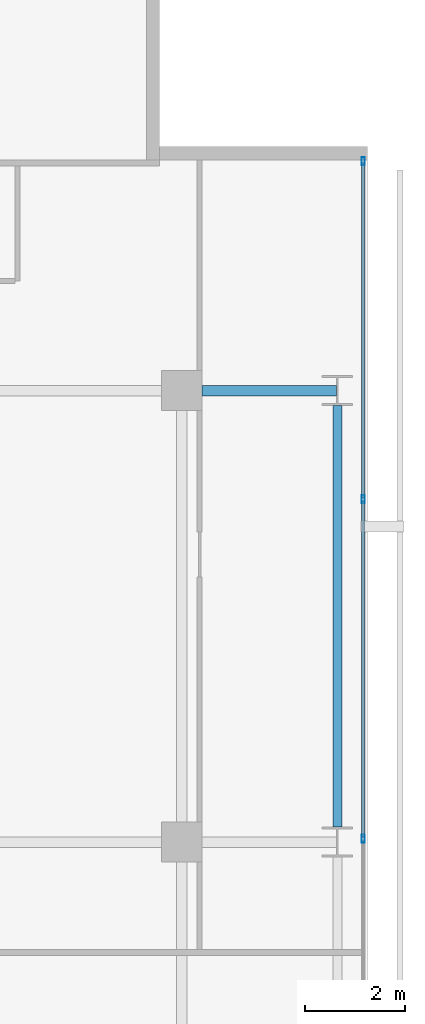
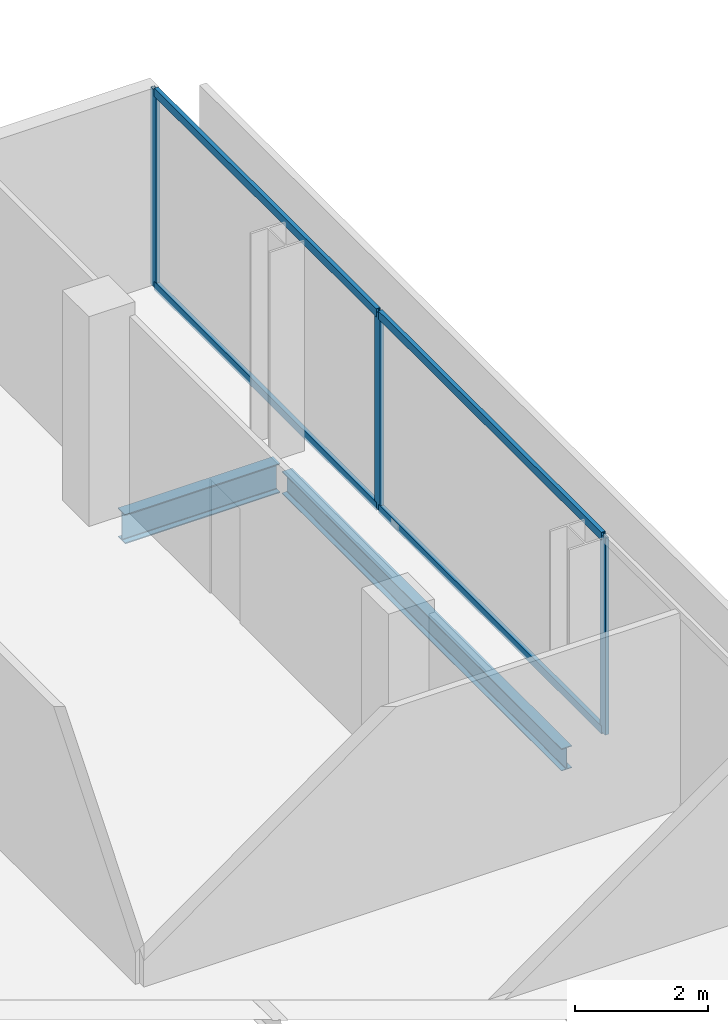
# One storey, part 24 of 33: 7 members, 2 beams, 1 element without a shape of its own.
"""IFC4 building model written with IfcOpenShell, lengths in metres."""

from ifc_helpers import new_model, si_unit, direction, frame, origin, origin_2d, place, context, subcontext, project, spatial, hollow_rectangle, i_section, extrude, material, layer, layer_set, material_profile, profile_set, type_object, element, aggregate, save


model = new_model("IFC4")

# Units and contexts
model_context = context("Model", 3, precision=1e-05, world=origin(), true_north=direction((0.0, 1.0)))
body_context = subcontext(model_context, "Body", "Model", "MODEL_VIEW")
ifc_project = project(units=[si_unit("LENGTHUNIT", "METRE"), si_unit("AREAUNIT", "SQUARE_METRE"), si_unit("VOLUMEUNIT", "CUBIC_METRE"), si_unit("PLANEANGLEUNIT", "RADIAN"), si_unit("MASSUNIT", "GRAM", prefix="KILO")], contexts=[model_context])

# Site, building, storey
site_placement = place(None, origin())
site = spatial("IfcSite", under=ifc_project, at=site_placement, CompositionType="ELEMENT")
building_placement = place(site_placement, origin())
building = spatial("IfcBuilding", under=site, at=building_placement, Name="Maruvema Waterfront Hotel and Observation Tower", CompositionType="ELEMENT")
storey_placement = place(building_placement, frame((0.0, 0.0, 196.699951171875)))
storey = spatial("IfcBuildingStorey", under=building, at=storey_placement, Name="L48", CompositionType="ELEMENT", Elevation=196.699951171875)

# Curtain wall, members
ifc_material_1 = material(Name="Anodised bronze aluminium and solar-control low-E IGU", Category="aluminium")
ifc_layer = layer(ifc_material_1, 0.159912109375, Name="Zone 2 Amber Inner Thermal Curtain Wall System CW-03")
ifc_layer_set = layer_set([ifc_layer], Name="Anodised bronze aluminium and solar-control low-E IGU")
curtain_wall_type = type_object("IfcCurtainWallType", Name="Zone 2 Amber Inner Thermal Curtain Wall System CW-03", PredefinedType="USERDEFINED", material=ifc_layer_set)
curtain_wall_placement = place(storey_placement, origin())
curtain_wall = element("IfcCurtainWall", 1, at=curtain_wall_placement, inside=storey, type_object=curtain_wall_type, Name="L48 Curtain Wall CW-L48-E", ObjectType="UNITISED CURTAIN WALL", PredefinedType="USERDEFINED")
ifc_material_2 = material(Name="Anodised architectural bronze aluminium", Category="aluminium")
ifc_material_profile_1 = material_profile(ifc_material_2, hollow_rectangle(XDim=0.070068359375, YDim=0.14990234375, WallThickness=0.00390625, at=origin_2d()), Name="ALU-T70x150")
ifc_profile_set_1 = profile_set([ifc_material_profile_1], Name="Anodised architectural bronze aluminium")
member_type_1 = type_object("IfcMemberType", Name="Curtain Wall Horizontal Transom ALU-T70x150", PredefinedType="USERDEFINED", material=ifc_profile_set_1)
member_1_placement = place(storey_placement, frame((62.419921875, 36.0966796875, 0.030029296875), z_axis=(0.0, 1.0, 0.0), x_axis=(-1.0, 0.0, 0.0)))
member_1 = element("IfcMember", 2, at=member_1_placement, type_object=member_type_1, Name="CW-03 transom 5.1", ObjectType="TRANSOM", PredefinedType="USERDEFINED", context=body_context, shape_type="SweptSolid", body=[
    extrude(hollow_rectangle(XDim=0.070068359375, YDim=0.14990234375, WallThickness=0.00390625, at=origin_2d()), origin(), (0.0, 0.0, 1.0), 6.70654296875),
])
member_2_placement = place(storey_placement, frame((62.419921875, 36.0966796875, 3.580078125), z_axis=(0.0, 1.0, 0.0), x_axis=(-1.0, 0.0, 0.0)))
member_2 = element("IfcMember", 3, at=member_2_placement, type_object=member_type_1, Name="CW-03 transom 5.2", ObjectType="TRANSOM", PredefinedType="USERDEFINED", context=body_context, shape_type="SweptSolid", body=[
    extrude(hollow_rectangle(XDim=0.070068359375, YDim=0.14990234375, WallThickness=0.00390625, at=origin_2d()), origin(), (0.0, 0.0, 1.0), 6.70654296875),
])
member_3_placement = place(storey_placement, frame((62.419921875, 42.86328125, 0.030029296875), z_axis=(0.0, 1.0, 0.0), x_axis=(-1.0, 0.0, 0.0)))
member_3 = element("IfcMember", 4, at=member_3_placement, type_object=member_type_1, Name="CW-03 transom 6.1", ObjectType="TRANSOM", PredefinedType="USERDEFINED", context=body_context, shape_type="SweptSolid", body=[
    extrude(hollow_rectangle(XDim=0.070068359375, YDim=0.14990234375, WallThickness=0.00390625, at=origin_2d()), origin(), (0.0, 0.0, 1.0), 6.6767578125),
])
member_4_placement = place(storey_placement, frame((62.419921875, 42.86328125, 3.580078125), z_axis=(0.0, 1.0, 0.0), x_axis=(-1.0, 0.0, 0.0)))
member_4 = element("IfcMember", 5, at=member_4_placement, type_object=member_type_1, Name="CW-03 transom 6.2", ObjectType="TRANSOM", PredefinedType="USERDEFINED", context=body_context, shape_type="SweptSolid", body=[
    extrude(hollow_rectangle(XDim=0.070068359375, YDim=0.14990234375, WallThickness=0.00390625, at=origin_2d()), origin(), (0.0, 0.0, 1.0), 6.6767578125),
])
ifc_material_3 = material(Name="Anodised architectural bronze aluminium", Category="aluminium")
ifc_material_profile_2 = material_profile(ifc_material_3, hollow_rectangle(XDim=0.06494140625, YDim=0.1650390625, WallThickness=0.00390625, at=origin_2d()), Name="ALU-M65x165")
ifc_profile_set_2 = profile_set([ifc_material_profile_2], Name="Anodised architectural bronze aluminium")
member_type_2 = type_object("IfcMemberType", Name="Curtain Wall Primary Mullion ALU-M65x165", PredefinedType="MULLION", material=ifc_profile_set_2)
member_5_placement = place(storey_placement, frame((62.419921875, 36.066650390625, 0.0), z_axis=(0.0, 0.0, 1.0), x_axis=(-1.0, 0.0, 0.0)))
member_5 = element("IfcMember", 6, at=member_5_placement, type_object=member_type_2, Name="CW-03 mullion 5", PredefinedType="MULLION", context=body_context, shape_type="SweptSolid", body=[
    extrude(hollow_rectangle(XDim=0.06494140625, YDim=0.1650390625, WallThickness=0.00390625, at=origin_2d()), origin(), (0.0, 0.0, 1.0), 3.610107421875),
])
member_6_placement = place(storey_placement, frame((62.419921875, 42.833251953125, 0.0), z_axis=(0.0, 0.0, 1.0), x_axis=(-1.0, 0.0, 0.0)))
member_6 = element("IfcMember", 7, at=member_6_placement, type_object=member_type_2, Name="CW-03 mullion 6", PredefinedType="MULLION", context=body_context, shape_type="SweptSolid", body=[
    extrude(hollow_rectangle(XDim=0.06494140625, YDim=0.1650390625, WallThickness=0.00390625, at=origin_2d()), origin(), (0.0, 0.0, 1.0), 3.610107421875),
])
member_7_placement = place(storey_placement, frame((62.419921875, 49.570068359375, 0.0), z_axis=(0.0, 0.0, 1.0), x_axis=(-1.0, 0.0, 0.0)))
member_7 = element("IfcMember", 8, at=member_7_placement, type_object=member_type_2, Name="CW-03 mullion 7", PredefinedType="MULLION", context=body_context, shape_type="SweptSolid", body=[
    extrude(hollow_rectangle(XDim=0.06494140625, YDim=0.1650390625, WallThickness=0.00390625, at=origin_2d()), origin(), (0.0, 0.0, 1.0), 3.610107421875),
])
aggregate(curtain_wall, [member_5, member_6, member_7, member_1, member_2, member_3, member_4])

# Beams
ifc_material_4 = material(Name="Steel ASTM A572 Grade 50", Category="steel")
ifc_material_profile_3 = material_profile(ifc_material_4, i_section(OverallWidth=0.178955078125, OverallDepth=0.409912109375, WebThickness=0.0087890625, FlangeThickness=0.014404296875, FilletRadius=0.014892578125, at=origin_2d()), Name="W410x67.0")
ifc_profile_set_3 = profile_set([ifc_material_profile_3], Name="Steel ASTM A572 Grade 50")
beam_type_1 = type_object("IfcBeamType", Name="Perimeter Spandrel Beam W410x67.0", PredefinedType="SPANDREL", material=ifc_profile_set_3)
beam_1_placement = place(storey_placement, frame((61.89990234375, 36.300048828125, -0.445068359375), z_axis=(0.0, 1.0, 0.0), x_axis=(-1.0, 0.0, 0.0)))
element("IfcBeam", 9, at=beam_1_placement, inside=storey, type_object=beam_type_1, Name="L48 Floor Girder NS-32", PredefinedType="SPANDREL", context=body_context, shape_type="SweptSolid", body=[
    extrude(i_section(OverallWidth=0.178955078125, OverallDepth=0.409912109375, WebThickness=0.0087890625, FlangeThickness=0.014404296875, FilletRadius=0.014892578125, at=origin_2d()), origin(), (0.0, 0.0, 1.0), 8.39990234375),
])
ifc_material_5 = material(Name="Steel ASTM A572 Grade 50", Category="steel")
ifc_material_profile_4 = material_profile(ifc_material_5, i_section(OverallWidth=0.2109375, OverallDepth=0.5390625, WebThickness=0.01171875, FlangeThickness=0.018798828125, FilletRadius=0.014892578125, at=origin_2d()), Name="W530x109.0")
ifc_profile_set_4 = profile_set([ifc_material_profile_4], Name="Steel ASTM A572 Grade 50")
beam_type_2 = type_object("IfcBeamType", Name="Primary Floor Girder W530x109.0", PredefinedType="BEAM", material=ifc_profile_set_4)
beam_2_placement = place(storey_placement, frame((59.199951171875, 45.0, -0.509521484375), z_axis=(1.0, 0.0, 0.0), x_axis=(0.0, 1.0, 0.0)))
element("IfcBeam", 10, at=beam_2_placement, inside=storey, type_object=beam_type_2, Name="L48 Floor Girder EW-33", PredefinedType="BEAM", context=body_context, shape_type="SweptSolid", body=[
    extrude(i_section(OverallWidth=0.2109375, OverallDepth=0.5390625, WebThickness=0.01171875, FlangeThickness=0.018798828125, FilletRadius=0.014892578125, at=origin_2d()), origin(), (0.0, 0.0, 1.0), 2.6875),
])

save(model, "model.ifc")
